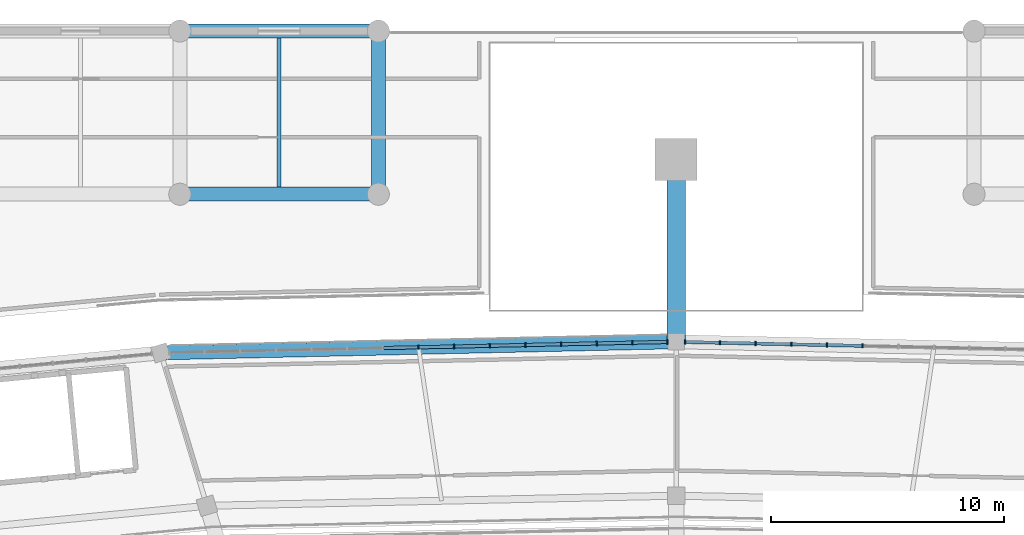
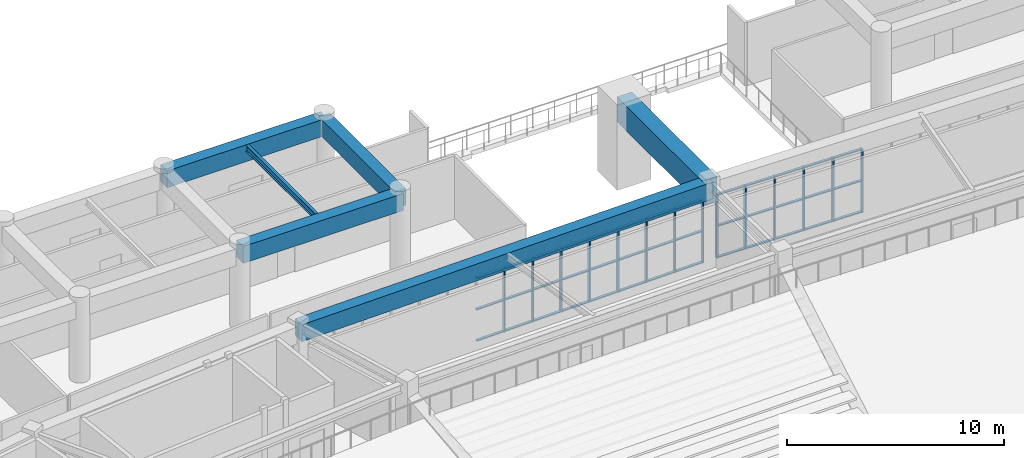
# One storey, part 62 of 137: 53 members, 6 beams, 2 elements without a shape of their own.
"""IFC4 building model written with IfcOpenShell, lengths in metres."""

from ifc_helpers import new_model, si_unit, direction, frame, origin, origin_2d, place, context, subcontext, project, spatial, rectangle, i_section, extrude, material, layer, layer_set, material_profile, profile_set, type_object, element, aggregate, save


model = new_model("IFC4")

# Units and contexts
model_context = context("Model", 3, precision=1e-05, world=origin(), true_north=direction((0.0, 1.0)))
body_context = subcontext(model_context, "Body", "Model", "MODEL_VIEW")
ifc_project = project(units=[si_unit("LENGTHUNIT", "METRE"), si_unit("AREAUNIT", "SQUARE_METRE"), si_unit("VOLUMEUNIT", "CUBIC_METRE"), si_unit("PLANEANGLEUNIT", "RADIAN"), si_unit("MASSUNIT", "GRAM", prefix="KILO")], contexts=[model_context])

# Site, building, storey
site_placement = place(None, origin())
site = spatial("IfcSite", under=ifc_project, at=site_placement, CompositionType="ELEMENT")
building_placement = place(site_placement, origin())
building = spatial("IfcBuilding", under=site, at=building_placement, Name="Mphavela Belvedere Stadium", CompositionType="ELEMENT")
storey_placement = place(building_placement, frame((0.0, 0.0, 19.199951171875)))
storey = spatial("IfcBuildingStorey", under=building, at=storey_placement, Name="L04", CompositionType="ELEMENT", Elevation=19.199951171875)

# Beams
ifc_material_1 = material(Name="Concrete C50/60", Category="concrete")
ifc_material_profile_1 = material_profile(ifc_material_1, rectangle(XDim=0.800048828125, YDim=1.39990234375, at=origin_2d()), Name="RC 800x1400")
ifc_profile_set_1 = profile_set([ifc_material_profile_1], Name="Concrete C50/60")
beam_type_1 = type_object("IfcBeamType", Name="BM-BUTTRESS-TIE-1400", PredefinedType="BEAM", material=ifc_profile_set_1)
beam_1_placement = place(storey_placement, frame((115.0, 160.669921875, 3.85009765625), z_axis=(0.0, 1.0, 0.0), x_axis=(-1.0, 0.0, 0.0)))
element("IfcBeam", 1, at=beam_1_placement, inside=storey, type_object=beam_type_1, Name="Mast buttress tie girder L04", PredefinedType="BEAM", context=body_context, shape_type="SweptSolid", body=[
    extrude(rectangle(XDim=0.800048828125, YDim=1.39990234375, at=origin_2d()), origin(), (0.0, 0.0, 1.0), 7.830078125),
])
ifc_material_2 = material(Name="Concrete C40/50", Category="concrete")
ifc_material_profile_2 = material_profile(ifc_material_2, rectangle(XDim=0.60009765625, YDim=0.949951171875, at=origin_2d()), Name="RC 600x950")
ifc_profile_set_2 = profile_set([ifc_material_profile_2], Name="Concrete C40/50")
beam_type_2 = type_object("IfcBeamType", Name="BM-ENTABLATURE-950", PredefinedType="SPANDREL", material=ifc_profile_set_2)
beam_2_placement = place(storey_placement, frame((115.0, 160.669921875, 4.074951171875), z_axis=(-0.999768359718, -0.021522706765, 0.0), x_axis=(0.021522706765, -0.999768359718, 0.0)))
element("IfcBeam", 2, at=beam_2_placement, inside=storey, type_object=beam_type_2, Name="Circumferential girder L04 R4-13", PredefinedType="SPANDREL", context=body_context, shape_type="SweptSolid", body=[
    extrude(rectangle(XDim=0.60009765625, YDim=0.949951171875, at=origin_2d()), origin(), (0.0, 0.0, 1.0), 22.11962890625),
])
for number, where, z_axis, x_axis, name in (
    (3, (93.7041015625, 167.0, 4.06494140625), (1.0, 0.0, 0.0), (0.0, 1.0, 0.0), "North Mast and Ceremonial End Forecourt entablature beam X L04 12-7"),
    (4, (93.7041015625, 174.0, 4.06494140625), (1.0, 0.0, 0.0), (0.0, 1.0, 0.0), "North Mast and Ceremonial End Forecourt entablature beam X L04 12-8"),
):
    element("IfcBeam", number, at=place(storey_placement, frame(where, z_axis=z_axis, x_axis=x_axis)), inside=storey, type_object=beam_type_2, Name=name, PredefinedType="SPANDREL", context=body_context, shape_type="SweptSolid", body=[
        extrude(rectangle(XDim=0.60009765625, YDim=0.949951171875, at=origin_2d()), origin(), (0.0, 0.0, 1.0), 8.517822265625),
    ])
beam_3_placement = place(storey_placement, frame((102.221923828125, 167.0, 4.06494140625), z_axis=(0.0, 1.0, 0.0), x_axis=(-1.0, 0.0, 0.0)))
element("IfcBeam", 5, at=beam_3_placement, inside=storey, type_object=beam_type_2, Name="North Mast and Ceremonial End Forecourt entablature beam Y L04 13-7", PredefinedType="SPANDREL", context=body_context, shape_type="SweptSolid", body=[
    extrude(rectangle(XDim=0.60009765625, YDim=0.949951171875, at=origin_2d()), origin(), (0.0, 0.0, 1.0), 7.0),
])
ifc_material_3 = material(Name="Steel S355", Category="steel")
ifc_material_profile_3 = material_profile(ifc_material_3, i_section(OverallWidth=0.169921875, OverallDepth=0.360107421875, WebThickness=0.008056640625, FlangeThickness=0.0126953125, at=origin_2d()), Name="IPE 360")
ifc_profile_set_3 = profile_set([ifc_material_profile_3], Name="Steel S355")
beam_type_3 = type_object("IfcBeamType", Name="BM-JOIST-IPE360", PredefinedType="JOIST", material=ifc_profile_set_3)
beam_4_placement = place(storey_placement, frame((97.962890625, 167.300048828125, 4.360107421875), z_axis=(0.0, 1.0, 0.0), x_axis=(-1.0, 0.0, 0.0)))
element("IfcBeam", 6, at=beam_4_placement, inside=storey, type_object=beam_type_3, Name="North Mast and Ceremonial End Forecourt secondary joist L04 12-7", PredefinedType="JOIST", context=body_context, shape_type="SweptSolid", body=[
    extrude(i_section(OverallWidth=0.169921875, OverallDepth=0.360107421875, WebThickness=0.008056640625, FlangeThickness=0.0126953125, at=origin_2d()), origin(), (0.0, 0.0, 1.0), 6.39990234375),
])

# Curtain wall, members
ifc_material_4 = material(Name="Anodised bronze unitised curtain wall framing")
ifc_layer_1 = layer(ifc_material_4, 0.18505859375)
ifc_layer_set_1 = layer_set([ifc_layer_1], Name="Anodised bronze unitised curtain wall framing")
curtain_wall_type_1 = type_object("IfcCurtainWallType", Name="CW-UNIT-02", PredefinedType="USERDEFINED", material=ifc_layer_set_1)
curtain_wall_1_placement = place(storey_placement, origin())
curtain_wall_1 = element("IfcCurtainWall", 7, at=curtain_wall_1_placement, inside=storey, type_object=curtain_wall_type_1, Name="Belvedere colonnade curtain wall L04-12", ObjectType="UNITISED CURTAIN WALL", PredefinedType="USERDEFINED")
ifc_material_5 = material(Name="Anodised bronze extruded aluminium", Category="aluminium")
ifc_material_profile_4 = material_profile(ifc_material_5, rectangle(XDim=0.179931640625, YDim=0.06494140625, at=origin_2d()), Name="CW-MUL 180x65")
ifc_profile_set_4 = profile_set([ifc_material_profile_4], Name="Anodised bronze extruded aluminium")
member_type_1 = type_object("IfcMemberType", Name="CWM-180x65", PredefinedType="MULLION", material=ifc_profile_set_4)
member_1_placement = place(storey_placement, frame((122.99755859375, 160.497802734375, 0.0), z_axis=(0.0, 0.0, 1.0), x_axis=(-0.021527495473, -0.999768256617, 0.0)))
member_1 = element("IfcMember", 8, at=member_1_placement, type_object=member_type_1, Name="CW-02 mullion 10", PredefinedType="MULLION", context=body_context, shape_type="SweptSolid", body=[
    extrude(rectangle(XDim=0.179931640625, YDim=0.06494140625, at=origin_2d()), origin(), (0.0, 0.0, 1.0), 3.570068359375),
])
member_2_placement = place(storey_placement, frame((121.467529296875, 160.53076171875, 0.0), z_axis=(0.0, 0.0, 1.0), x_axis=(-0.021527495473, -0.999768256617, 0.0)))
member_2 = element("IfcMember", 9, at=member_2_placement, type_object=member_type_1, Name="CW-02 mullion 11", PredefinedType="MULLION", context=body_context, shape_type="SweptSolid", body=[
    extrude(rectangle(XDim=0.179931640625, YDim=0.06494140625, at=origin_2d()), origin(), (0.0, 0.0, 1.0), 3.570068359375),
])
member_3_placement = place(storey_placement, frame((119.937744140625, 160.563720703125, 0.0), z_axis=(0.0, 0.0, 1.0), x_axis=(-0.021527495473, -0.999768256617, 0.0)))
member_3 = element("IfcMember", 10, at=member_3_placement, type_object=member_type_1, Name="CW-02 mullion 12", PredefinedType="MULLION", context=body_context, shape_type="SweptSolid", body=[
    extrude(rectangle(XDim=0.179931640625, YDim=0.06494140625, at=origin_2d()), origin(), (0.0, 0.0, 1.0), 3.570068359375),
])
member_4_placement = place(storey_placement, frame((118.40771484375, 160.5966796875, 0.0), z_axis=(0.0, 0.0, 1.0), x_axis=(-0.021527495473, -0.999768256617, 0.0)))
member_4 = element("IfcMember", 11, at=member_4_placement, type_object=member_type_1, Name="CW-02 mullion 13", PredefinedType="MULLION", context=body_context, shape_type="SweptSolid", body=[
    extrude(rectangle(XDim=0.179931640625, YDim=0.06494140625, at=origin_2d()), origin(), (0.0, 0.0, 1.0), 3.570068359375),
])
member_5_placement = place(storey_placement, frame((116.8779296875, 160.629638671875, 0.0), z_axis=(0.0, 0.0, 1.0), x_axis=(-0.021527495473, -0.999768256617, 0.0)))
member_5 = element("IfcMember", 12, at=member_5_placement, type_object=member_type_1, Name="CW-02 mullion 14", PredefinedType="MULLION", context=body_context, shape_type="SweptSolid", body=[
    extrude(rectangle(XDim=0.179931640625, YDim=0.06494140625, at=origin_2d()), origin(), (0.0, 0.0, 1.0), 3.570068359375),
])
member_6_placement = place(storey_placement, frame((115.38037109375, 160.661865234375, 0.0), z_axis=(0.0, 0.0, 1.0), x_axis=(-0.021527495473, -0.999768256617, 0.0)))
member_6 = element("IfcMember", 13, at=member_6_placement, type_object=member_type_1, Name="CW-02 mullion 15", PredefinedType="MULLION", context=body_context, shape_type="SweptSolid", body=[
    extrude(rectangle(XDim=0.179931640625, YDim=0.06494140625, at=origin_2d()), origin(), (0.0, 0.0, 1.0), 3.570068359375),
])

ifc_material_6 = material(Name="Anodised bronze unitised curtain wall framing")
ifc_layer_2 = layer(ifc_material_6, 0.18994140625)
ifc_layer_set_2 = layer_set([ifc_layer_2], Name="Anodised bronze unitised curtain wall framing")
curtain_wall_type_2 = type_object("IfcCurtainWallType", Name="CW-UNIT-03", PredefinedType="USERDEFINED", material=ifc_layer_set_2)
curtain_wall_2_placement = place(storey_placement, origin())
curtain_wall_2 = element("IfcCurtainWall", 14, at=curtain_wall_2_placement, inside=storey, type_object=curtain_wall_type_2, Name="Belvedere colonnade curtain wall L04-13", ObjectType="UNITISED CURTAIN WALL", PredefinedType="USERDEFINED")
member_7_placement = place(storey_placement, frame((114.61962890625, 160.661865234375, 0.0), z_axis=(0.0, 0.0, 1.0), x_axis=(0.021527495473, -0.999768256617, 0.0)))
member_7 = element("IfcMember", 15, at=member_7_placement, type_object=member_type_1, Name="CW-03 mullion 1", PredefinedType="MULLION", context=body_context, shape_type="SweptSolid", body=[
    extrude(rectangle(XDim=0.179931640625, YDim=0.06494140625, at=origin_2d()), origin(), (0.0, 0.0, 1.0), 3.570068359375),
])
member_8_placement = place(storey_placement, frame((113.1220703125, 160.629638671875, 0.0), z_axis=(0.0, 0.0, 1.0), x_axis=(0.021527495473, -0.999768256617, 0.0)))
member_8 = element("IfcMember", 16, at=member_8_placement, type_object=member_type_1, Name="CW-03 mullion 2", PredefinedType="MULLION", context=body_context, shape_type="SweptSolid", body=[
    extrude(rectangle(XDim=0.179931640625, YDim=0.06494140625, at=origin_2d()), origin(), (0.0, 0.0, 1.0), 3.570068359375),
])
member_9_placement = place(storey_placement, frame((111.59228515625, 160.5966796875, 0.0), z_axis=(0.0, 0.0, 1.0), x_axis=(0.021527495473, -0.999768256617, 0.0)))
member_9 = element("IfcMember", 17, at=member_9_placement, type_object=member_type_1, Name="CW-03 mullion 3", PredefinedType="MULLION", context=body_context, shape_type="SweptSolid", body=[
    extrude(rectangle(XDim=0.179931640625, YDim=0.06494140625, at=origin_2d()), origin(), (0.0, 0.0, 1.0), 3.570068359375),
])
member_10_placement = place(storey_placement, frame((110.062255859375, 160.563720703125, 0.0), z_axis=(0.0, 0.0, 1.0), x_axis=(0.021527495473, -0.999768256617, 0.0)))
member_10 = element("IfcMember", 18, at=member_10_placement, type_object=member_type_1, Name="CW-03 mullion 4", PredefinedType="MULLION", context=body_context, shape_type="SweptSolid", body=[
    extrude(rectangle(XDim=0.179931640625, YDim=0.06494140625, at=origin_2d()), origin(), (0.0, 0.0, 1.0), 3.570068359375),
])
member_11_placement = place(storey_placement, frame((108.532470703125, 160.53076171875, 0.0), z_axis=(0.0, 0.0, 1.0), x_axis=(0.021527495473, -0.999768256617, 0.0)))
member_11 = element("IfcMember", 19, at=member_11_placement, type_object=member_type_1, Name="CW-03 mullion 5", PredefinedType="MULLION", context=body_context, shape_type="SweptSolid", body=[
    extrude(rectangle(XDim=0.179931640625, YDim=0.06494140625, at=origin_2d()), origin(), (0.0, 0.0, 1.0), 3.570068359375),
])
member_12_placement = place(storey_placement, frame((107.00244140625, 160.497802734375, 0.0), z_axis=(0.0, 0.0, 1.0), x_axis=(0.021527495473, -0.999768256617, 0.0)))
member_12 = element("IfcMember", 20, at=member_12_placement, type_object=member_type_1, Name="CW-03 mullion 6", PredefinedType="MULLION", context=body_context, shape_type="SweptSolid", body=[
    extrude(rectangle(XDim=0.179931640625, YDim=0.06494140625, at=origin_2d()), origin(), (0.0, 0.0, 1.0), 3.570068359375),
])
member_13_placement = place(storey_placement, frame((105.47265625, 160.46484375, 0.0), z_axis=(0.0, 0.0, 1.0), x_axis=(0.021527495473, -0.999768256617, 0.0)))
member_13 = element("IfcMember", 21, at=member_13_placement, type_object=member_type_1, Name="CW-03 mullion 7", PredefinedType="MULLION", context=body_context, shape_type="SweptSolid", body=[
    extrude(rectangle(XDim=0.179931640625, YDim=0.06494140625, at=origin_2d()), origin(), (0.0, 0.0, 1.0), 3.570068359375),
])
member_14_placement = place(storey_placement, frame((103.942626953125, 160.431884765625, 0.0), z_axis=(0.0, 0.0, 1.0), x_axis=(0.021527495473, -0.999768256617, 0.0)))
member_14 = element("IfcMember", 22, at=member_14_placement, type_object=member_type_1, Name="CW-03 mullion 8", PredefinedType="MULLION", context=body_context, shape_type="SweptSolid", body=[
    extrude(rectangle(XDim=0.179931640625, YDim=0.06494140625, at=origin_2d()), origin(), (0.0, 0.0, 1.0), 3.570068359375),
])

# Member
ifc_material_7 = material(Name="Anodised bronze extruded aluminium", Category="aluminium")
ifc_material_profile_5 = material_profile(ifc_material_7, rectangle(XDim=0.139892578125, YDim=0.06005859375, at=origin_2d()), Name="CW-TRN 140x60")
ifc_profile_set_5 = profile_set([ifc_material_profile_5], Name="Anodised bronze extruded aluminium")
member_type_2 = type_object("IfcMemberType", Name="CWT-140x60", PredefinedType="USERDEFINED", material=ifc_profile_set_5)
member_15_placement = place(storey_placement, frame((122.965087890625, 160.49853515625, 0.030029296875), z_axis=(-0.999769032066, 0.021491452281, 0.0), x_axis=(-0.021491452281, -0.999769032066, 0.0)))
member_15 = element("IfcMember", 23, at=member_15_placement, type_object=member_type_2, Name="CW-02 transom 10.1", ObjectType="TRANSOM", PredefinedType="USERDEFINED", context=body_context, shape_type="SweptSolid", body=[
    extrude(rectangle(XDim=0.139892578125, YDim=0.06005859375, at=origin_2d()), origin(), (0.0, 0.0, 1.0), 1.46533203125),
])

member_16_placement = place(storey_placement, frame((122.965087890625, 160.49853515625, 1.78515625), z_axis=(-0.999769032066, 0.021491452281, 0.0), x_axis=(-0.021491452281, -0.999769032066, 0.0)))
member_16 = element("IfcMember", 24, at=member_16_placement, type_object=member_type_2, Name="CW-02 transom 10.2", ObjectType="TRANSOM", PredefinedType="USERDEFINED", context=body_context, shape_type="SweptSolid", body=[
    extrude(rectangle(XDim=0.139892578125, YDim=0.06005859375, at=origin_2d()), origin(), (0.0, 0.0, 1.0), 1.46533203125),
])

member_17_placement = place(storey_placement, frame((122.965087890625, 160.49853515625, 3.5400390625), z_axis=(-0.999769032066, 0.021491452281, 0.0), x_axis=(-0.021491452281, -0.999769032066, 0.0)))
member_17 = element("IfcMember", 25, at=member_17_placement, type_object=member_type_2, Name="CW-02 transom 10.3", ObjectType="TRANSOM", PredefinedType="USERDEFINED", context=body_context, shape_type="SweptSolid", body=[
    extrude(rectangle(XDim=0.139892578125, YDim=0.06005859375, at=origin_2d()), origin(), (0.0, 0.0, 1.0), 1.46533203125),
])

member_18_placement = place(storey_placement, frame((121.43505859375, 160.531494140625, 0.030029296875), z_axis=(-0.999768955097, 0.021495032535, 0.0), x_axis=(-0.021495032535, -0.999768955097, 0.0)))
member_18 = element("IfcMember", 26, at=member_18_placement, type_object=member_type_2, Name="CW-02 transom 11.1", ObjectType="TRANSOM", PredefinedType="USERDEFINED", context=body_context, shape_type="SweptSolid", body=[
    extrude(rectangle(XDim=0.139892578125, YDim=0.06005859375, at=origin_2d()), origin(), (0.0, 0.0, 1.0), 1.465087890625),
])

member_19_placement = place(storey_placement, frame((121.43505859375, 160.531494140625, 1.78515625), z_axis=(-0.999768955097, 0.021495032535, 0.0), x_axis=(-0.021495032535, -0.999768955097, 0.0)))
member_19 = element("IfcMember", 27, at=member_19_placement, type_object=member_type_2, Name="CW-02 transom 11.2", ObjectType="TRANSOM", PredefinedType="USERDEFINED", context=body_context, shape_type="SweptSolid", body=[
    extrude(rectangle(XDim=0.139892578125, YDim=0.06005859375, at=origin_2d()), origin(), (0.0, 0.0, 1.0), 1.465087890625),
])

member_20_placement = place(storey_placement, frame((121.43505859375, 160.531494140625, 3.5400390625), z_axis=(-0.999768955097, 0.021495032535, 0.0), x_axis=(-0.021495032535, -0.999768955097, 0.0)))
member_20 = element("IfcMember", 28, at=member_20_placement, type_object=member_type_2, Name="CW-02 transom 11.3", ObjectType="TRANSOM", PredefinedType="USERDEFINED", context=body_context, shape_type="SweptSolid", body=[
    extrude(rectangle(XDim=0.139892578125, YDim=0.06005859375, at=origin_2d()), origin(), (0.0, 0.0, 1.0), 1.465087890625),
])

member_21_placement = place(storey_placement, frame((119.905029296875, 160.564453125, 0.030029296875), z_axis=(-0.999768955097, 0.021495032535, 0.0), x_axis=(-0.021495032535, -0.999768955097, 0.0)))
member_21 = element("IfcMember", 29, at=member_21_placement, type_object=member_type_2, Name="CW-02 transom 12.1", ObjectType="TRANSOM", PredefinedType="USERDEFINED", context=body_context, shape_type="SweptSolid", body=[
    extrude(rectangle(XDim=0.139892578125, YDim=0.06005859375, at=origin_2d()), origin(), (0.0, 0.0, 1.0), 1.465087890625),
])

member_22_placement = place(storey_placement, frame((119.905029296875, 160.564453125, 1.78515625), z_axis=(-0.999768955097, 0.021495032535, 0.0), x_axis=(-0.021495032535, -0.999768955097, 0.0)))
member_22 = element("IfcMember", 30, at=member_22_placement, type_object=member_type_2, Name="CW-02 transom 12.2", ObjectType="TRANSOM", PredefinedType="USERDEFINED", context=body_context, shape_type="SweptSolid", body=[
    extrude(rectangle(XDim=0.139892578125, YDim=0.06005859375, at=origin_2d()), origin(), (0.0, 0.0, 1.0), 1.465087890625),
])

member_23_placement = place(storey_placement, frame((119.905029296875, 160.564453125, 3.5400390625), z_axis=(-0.999768955097, 0.021495032535, 0.0), x_axis=(-0.021495032535, -0.999768955097, 0.0)))
member_23 = element("IfcMember", 31, at=member_23_placement, type_object=member_type_2, Name="CW-02 transom 12.3", ObjectType="TRANSOM", PredefinedType="USERDEFINED", context=body_context, shape_type="SweptSolid", body=[
    extrude(rectangle(XDim=0.139892578125, YDim=0.06005859375, at=origin_2d()), origin(), (0.0, 0.0, 1.0), 1.465087890625),
])

member_24_placement = place(storey_placement, frame((118.375244140625, 160.597412109375, 0.030029296875), z_axis=(-0.999768955097, 0.021495032535, 0.0), x_axis=(-0.021495032535, -0.999768955097, 0.0)))
member_24 = element("IfcMember", 32, at=member_24_placement, type_object=member_type_2, Name="CW-02 transom 13.1", ObjectType="TRANSOM", PredefinedType="USERDEFINED", context=body_context, shape_type="SweptSolid", body=[
    extrude(rectangle(XDim=0.139892578125, YDim=0.06005859375, at=origin_2d()), origin(), (0.0, 0.0, 1.0), 1.465087890625),
])

member_25_placement = place(storey_placement, frame((118.375244140625, 160.597412109375, 1.78515625), z_axis=(-0.999768955097, 0.021495032535, 0.0), x_axis=(-0.021495032535, -0.999768955097, 0.0)))
member_25 = element("IfcMember", 33, at=member_25_placement, type_object=member_type_2, Name="CW-02 transom 13.2", ObjectType="TRANSOM", PredefinedType="USERDEFINED", context=body_context, shape_type="SweptSolid", body=[
    extrude(rectangle(XDim=0.139892578125, YDim=0.06005859375, at=origin_2d()), origin(), (0.0, 0.0, 1.0), 1.465087890625),
])

member_26_placement = place(storey_placement, frame((118.375244140625, 160.597412109375, 3.5400390625), z_axis=(-0.999768955097, 0.021495032535, 0.0), x_axis=(-0.021495032535, -0.999768955097, 0.0)))
member_26 = element("IfcMember", 34, at=member_26_placement, type_object=member_type_2, Name="CW-02 transom 13.3", ObjectType="TRANSOM", PredefinedType="USERDEFINED", context=body_context, shape_type="SweptSolid", body=[
    extrude(rectangle(XDim=0.139892578125, YDim=0.06005859375, at=origin_2d()), origin(), (0.0, 0.0, 1.0), 1.465087890625),
])

member_27_placement = place(storey_placement, frame((116.84521484375, 160.63037109375, 0.030029296875), z_axis=(-0.999769469326, 0.021471101608, 0.0), x_axis=(-0.021471101608, -0.999769469326, 0.0)))
member_27 = element("IfcMember", 35, at=member_27_placement, type_object=member_type_2, Name="CW-02 transom 14.1", ObjectType="TRANSOM", PredefinedType="USERDEFINED", context=body_context, shape_type="SweptSolid", body=[
    extrude(rectangle(XDim=0.139892578125, YDim=0.06005859375, at=origin_2d()), origin(), (0.0, 0.0, 1.0), 1.4326171875),
])

member_28_placement = place(storey_placement, frame((116.84521484375, 160.63037109375, 1.78515625), z_axis=(-0.999769469326, 0.021471101608, 0.0), x_axis=(-0.021471101608, -0.999769469326, 0.0)))
member_28 = element("IfcMember", 36, at=member_28_placement, type_object=member_type_2, Name="CW-02 transom 14.2", ObjectType="TRANSOM", PredefinedType="USERDEFINED", context=body_context, shape_type="SweptSolid", body=[
    extrude(rectangle(XDim=0.139892578125, YDim=0.06005859375, at=origin_2d()), origin(), (0.0, 0.0, 1.0), 1.4326171875),
])

member_29_placement = place(storey_placement, frame((116.84521484375, 160.63037109375, 3.5400390625), z_axis=(-0.999769469326, 0.021471101608, 0.0), x_axis=(-0.021471101608, -0.999769469326, 0.0)))
member_29 = element("IfcMember", 37, at=member_29_placement, type_object=member_type_2, Name="CW-02 transom 14.3", ObjectType="TRANSOM", PredefinedType="USERDEFINED", context=body_context, shape_type="SweptSolid", body=[
    extrude(rectangle(XDim=0.139892578125, YDim=0.06005859375, at=origin_2d()), origin(), (0.0, 0.0, 1.0), 1.4326171875),
])

aggregate(curtain_wall_1, [member_1, member_2, member_3, member_4, member_5, member_6, member_15, member_16, member_17, member_18, member_19, member_20, member_21, member_22, member_23, member_24, member_25, member_26, member_27, member_28, member_29])

member_30_placement = place(storey_placement, frame((114.587158203125, 160.6611328125, 0.030029296875), z_axis=(-0.999769469326, -0.021471101608, 0.0), x_axis=(0.021471101608, -0.999769469326, 0.0)))
member_30 = element("IfcMember", 38, at=member_30_placement, type_object=member_type_2, Name="CW-03 transom 1.1", ObjectType="TRANSOM", PredefinedType="USERDEFINED", context=body_context, shape_type="SweptSolid", body=[
    extrude(rectangle(XDim=0.139892578125, YDim=0.06005859375, at=origin_2d()), origin(), (0.0, 0.0, 1.0), 1.4326171875),
])

member_31_placement = place(storey_placement, frame((114.587158203125, 160.6611328125, 1.78515625), z_axis=(-0.999769469326, -0.021471101608, 0.0), x_axis=(0.021471101608, -0.999769469326, 0.0)))
member_31 = element("IfcMember", 39, at=member_31_placement, type_object=member_type_2, Name="CW-03 transom 1.2", ObjectType="TRANSOM", PredefinedType="USERDEFINED", context=body_context, shape_type="SweptSolid", body=[
    extrude(rectangle(XDim=0.139892578125, YDim=0.06005859375, at=origin_2d()), origin(), (0.0, 0.0, 1.0), 1.4326171875),
])

member_32_placement = place(storey_placement, frame((114.587158203125, 160.6611328125, 3.5400390625), z_axis=(-0.999769469326, -0.021471101608, 0.0), x_axis=(0.021471101608, -0.999769469326, 0.0)))
member_32 = element("IfcMember", 40, at=member_32_placement, type_object=member_type_2, Name="CW-03 transom 1.3", ObjectType="TRANSOM", PredefinedType="USERDEFINED", context=body_context, shape_type="SweptSolid", body=[
    extrude(rectangle(XDim=0.139892578125, YDim=0.06005859375, at=origin_2d()), origin(), (0.0, 0.0, 1.0), 1.4326171875),
])

member_33_placement = place(storey_placement, frame((113.089599609375, 160.62890625, 0.030029296875), z_axis=(-0.999768955097, -0.021495032535, 0.0), x_axis=(0.021495032535, -0.999768955097, 0.0)))
member_33 = element("IfcMember", 41, at=member_33_placement, type_object=member_type_2, Name="CW-03 transom 2.1", ObjectType="TRANSOM", PredefinedType="USERDEFINED", context=body_context, shape_type="SweptSolid", body=[
    extrude(rectangle(XDim=0.139892578125, YDim=0.06005859375, at=origin_2d()), origin(), (0.0, 0.0, 1.0), 1.465087890625),
])

member_34_placement = place(storey_placement, frame((113.089599609375, 160.62890625, 1.78515625), z_axis=(-0.999768955097, -0.021495032535, 0.0), x_axis=(0.021495032535, -0.999768955097, 0.0)))
member_34 = element("IfcMember", 42, at=member_34_placement, type_object=member_type_2, Name="CW-03 transom 2.2", ObjectType="TRANSOM", PredefinedType="USERDEFINED", context=body_context, shape_type="SweptSolid", body=[
    extrude(rectangle(XDim=0.139892578125, YDim=0.06005859375, at=origin_2d()), origin(), (0.0, 0.0, 1.0), 1.465087890625),
])

member_35_placement = place(storey_placement, frame((113.089599609375, 160.62890625, 3.5400390625), z_axis=(-0.999768955097, -0.021495032535, 0.0), x_axis=(0.021495032535, -0.999768955097, 0.0)))
member_35 = element("IfcMember", 43, at=member_35_placement, type_object=member_type_2, Name="CW-03 transom 2.3", ObjectType="TRANSOM", PredefinedType="USERDEFINED", context=body_context, shape_type="SweptSolid", body=[
    extrude(rectangle(XDim=0.139892578125, YDim=0.06005859375, at=origin_2d()), origin(), (0.0, 0.0, 1.0), 1.465087890625),
])

member_36_placement = place(storey_placement, frame((111.559814453125, 160.595947265625, 0.030029296875), z_axis=(-0.999768955097, -0.021495032535, 0.0), x_axis=(0.021495032535, -0.999768955097, 0.0)))
member_36 = element("IfcMember", 44, at=member_36_placement, type_object=member_type_2, Name="CW-03 transom 3.1", ObjectType="TRANSOM", PredefinedType="USERDEFINED", context=body_context, shape_type="SweptSolid", body=[
    extrude(rectangle(XDim=0.139892578125, YDim=0.06005859375, at=origin_2d()), origin(), (0.0, 0.0, 1.0), 1.465087890625),
])

member_37_placement = place(storey_placement, frame((111.559814453125, 160.595947265625, 1.78515625), z_axis=(-0.999768955097, -0.021495032535, 0.0), x_axis=(0.021495032535, -0.999768955097, 0.0)))
member_37 = element("IfcMember", 45, at=member_37_placement, type_object=member_type_2, Name="CW-03 transom 3.2", ObjectType="TRANSOM", PredefinedType="USERDEFINED", context=body_context, shape_type="SweptSolid", body=[
    extrude(rectangle(XDim=0.139892578125, YDim=0.06005859375, at=origin_2d()), origin(), (0.0, 0.0, 1.0), 1.465087890625),
])

member_38_placement = place(storey_placement, frame((111.559814453125, 160.595947265625, 3.5400390625), z_axis=(-0.999768955097, -0.021495032535, 0.0), x_axis=(0.021495032535, -0.999768955097, 0.0)))
member_38 = element("IfcMember", 46, at=member_38_placement, type_object=member_type_2, Name="CW-03 transom 3.3", ObjectType="TRANSOM", PredefinedType="USERDEFINED", context=body_context, shape_type="SweptSolid", body=[
    extrude(rectangle(XDim=0.139892578125, YDim=0.06005859375, at=origin_2d()), origin(), (0.0, 0.0, 1.0), 1.465087890625),
])

member_39_placement = place(storey_placement, frame((110.02978515625, 160.56298828125, 0.030029296875), z_axis=(-0.999768955097, -0.021495032535, 0.0), x_axis=(0.021495032535, -0.999768955097, 0.0)))
member_39 = element("IfcMember", 47, at=member_39_placement, type_object=member_type_2, Name="CW-03 transom 4.1", ObjectType="TRANSOM", PredefinedType="USERDEFINED", context=body_context, shape_type="SweptSolid", body=[
    extrude(rectangle(XDim=0.139892578125, YDim=0.06005859375, at=origin_2d()), origin(), (0.0, 0.0, 1.0), 1.465087890625),
])

member_40_placement = place(storey_placement, frame((110.02978515625, 160.56298828125, 1.78515625), z_axis=(-0.999768955097, -0.021495032535, 0.0), x_axis=(0.021495032535, -0.999768955097, 0.0)))
member_40 = element("IfcMember", 48, at=member_40_placement, type_object=member_type_2, Name="CW-03 transom 4.2", ObjectType="TRANSOM", PredefinedType="USERDEFINED", context=body_context, shape_type="SweptSolid", body=[
    extrude(rectangle(XDim=0.139892578125, YDim=0.06005859375, at=origin_2d()), origin(), (0.0, 0.0, 1.0), 1.465087890625),
])

member_41_placement = place(storey_placement, frame((110.02978515625, 160.56298828125, 3.5400390625), z_axis=(-0.999768955097, -0.021495032535, 0.0), x_axis=(0.021495032535, -0.999768955097, 0.0)))
member_41 = element("IfcMember", 49, at=member_41_placement, type_object=member_type_2, Name="CW-03 transom 4.3", ObjectType="TRANSOM", PredefinedType="USERDEFINED", context=body_context, shape_type="SweptSolid", body=[
    extrude(rectangle(XDim=0.139892578125, YDim=0.06005859375, at=origin_2d()), origin(), (0.0, 0.0, 1.0), 1.465087890625),
])

member_42_placement = place(storey_placement, frame((108.5, 160.530029296875, 0.030029296875), z_axis=(-0.999769032066, -0.021491452281, 0.0), x_axis=(0.021491452281, -0.999769032066, 0.0)))
member_42 = element("IfcMember", 50, at=member_42_placement, type_object=member_type_2, Name="CW-03 transom 5.1", ObjectType="TRANSOM", PredefinedType="USERDEFINED", context=body_context, shape_type="SweptSolid", body=[
    extrude(rectangle(XDim=0.139892578125, YDim=0.06005859375, at=origin_2d()), origin(), (0.0, 0.0, 1.0), 1.46533203125),
])

member_43_placement = place(storey_placement, frame((108.5, 160.530029296875, 1.78515625), z_axis=(-0.999769032066, -0.021491452281, 0.0), x_axis=(0.021491452281, -0.999769032066, 0.0)))
member_43 = element("IfcMember", 51, at=member_43_placement, type_object=member_type_2, Name="CW-03 transom 5.2", ObjectType="TRANSOM", PredefinedType="USERDEFINED", context=body_context, shape_type="SweptSolid", body=[
    extrude(rectangle(XDim=0.139892578125, YDim=0.06005859375, at=origin_2d()), origin(), (0.0, 0.0, 1.0), 1.46533203125),
])

member_44_placement = place(storey_placement, frame((108.5, 160.530029296875, 3.5400390625), z_axis=(-0.999769032066, -0.021491452281, 0.0), x_axis=(0.021491452281, -0.999769032066, 0.0)))
member_44 = element("IfcMember", 52, at=member_44_placement, type_object=member_type_2, Name="CW-03 transom 5.3", ObjectType="TRANSOM", PredefinedType="USERDEFINED", context=body_context, shape_type="SweptSolid", body=[
    extrude(rectangle(XDim=0.139892578125, YDim=0.06005859375, at=origin_2d()), origin(), (0.0, 0.0, 1.0), 1.46533203125),
])

member_45_placement = place(storey_placement, frame((106.969970703125, 160.4970703125, 0.030029296875), z_axis=(-0.999768955097, -0.021495032535, 0.0), x_axis=(0.021495032535, -0.999768955097, 0.0)))
member_45 = element("IfcMember", 53, at=member_45_placement, type_object=member_type_2, Name="CW-03 transom 6.1", ObjectType="TRANSOM", PredefinedType="USERDEFINED", context=body_context, shape_type="SweptSolid", body=[
    extrude(rectangle(XDim=0.139892578125, YDim=0.06005859375, at=origin_2d()), origin(), (0.0, 0.0, 1.0), 1.465087890625),
])

member_46_placement = place(storey_placement, frame((106.969970703125, 160.4970703125, 1.78515625), z_axis=(-0.999768955097, -0.021495032535, 0.0), x_axis=(0.021495032535, -0.999768955097, 0.0)))
member_46 = element("IfcMember", 54, at=member_46_placement, type_object=member_type_2, Name="CW-03 transom 6.2", ObjectType="TRANSOM", PredefinedType="USERDEFINED", context=body_context, shape_type="SweptSolid", body=[
    extrude(rectangle(XDim=0.139892578125, YDim=0.06005859375, at=origin_2d()), origin(), (0.0, 0.0, 1.0), 1.465087890625),
])

member_47_placement = place(storey_placement, frame((106.969970703125, 160.4970703125, 3.5400390625), z_axis=(-0.999768955097, -0.021495032535, 0.0), x_axis=(0.021495032535, -0.999768955097, 0.0)))
member_47 = element("IfcMember", 55, at=member_47_placement, type_object=member_type_2, Name="CW-03 transom 6.3", ObjectType="TRANSOM", PredefinedType="USERDEFINED", context=body_context, shape_type="SweptSolid", body=[
    extrude(rectangle(XDim=0.139892578125, YDim=0.06005859375, at=origin_2d()), origin(), (0.0, 0.0, 1.0), 1.465087890625),
])

member_48_placement = place(storey_placement, frame((105.440185546875, 160.464111328125, 0.030029296875), z_axis=(-0.999769032066, -0.021491452281, 0.0), x_axis=(0.021491452281, -0.999769032066, 0.0)))
member_48 = element("IfcMember", 56, at=member_48_placement, type_object=member_type_2, Name="CW-03 transom 7.1", ObjectType="TRANSOM", PredefinedType="USERDEFINED", context=body_context, shape_type="SweptSolid", body=[
    extrude(rectangle(XDim=0.139892578125, YDim=0.06005859375, at=origin_2d()), origin(), (0.0, 0.0, 1.0), 1.46533203125),
])

member_49_placement = place(storey_placement, frame((105.440185546875, 160.464111328125, 1.78515625), z_axis=(-0.999769032066, -0.021491452281, 0.0), x_axis=(0.021491452281, -0.999769032066, 0.0)))
member_49 = element("IfcMember", 57, at=member_49_placement, type_object=member_type_2, Name="CW-03 transom 7.2", ObjectType="TRANSOM", PredefinedType="USERDEFINED", context=body_context, shape_type="SweptSolid", body=[
    extrude(rectangle(XDim=0.139892578125, YDim=0.06005859375, at=origin_2d()), origin(), (0.0, 0.0, 1.0), 1.46533203125),
])

member_50_placement = place(storey_placement, frame((105.440185546875, 160.464111328125, 3.5400390625), z_axis=(-0.999769032066, -0.021491452281, 0.0), x_axis=(0.021491452281, -0.999769032066, 0.0)))
member_50 = element("IfcMember", 58, at=member_50_placement, type_object=member_type_2, Name="CW-03 transom 7.3", ObjectType="TRANSOM", PredefinedType="USERDEFINED", context=body_context, shape_type="SweptSolid", body=[
    extrude(rectangle(XDim=0.139892578125, YDim=0.06005859375, at=origin_2d()), origin(), (0.0, 0.0, 1.0), 1.46533203125),
])

member_51_placement = place(storey_placement, frame((103.91015625, 160.43115234375, 0.030029296875), z_axis=(-0.999768955097, -0.021495032535, 0.0), x_axis=(0.021495032535, -0.999768955097, 0.0)))
member_51 = element("IfcMember", 59, at=member_51_placement, type_object=member_type_2, Name="CW-03 transom 8.1", ObjectType="TRANSOM", PredefinedType="USERDEFINED", context=body_context, shape_type="SweptSolid", body=[
    extrude(rectangle(XDim=0.139892578125, YDim=0.06005859375, at=origin_2d()), origin(), (0.0, 0.0, 1.0), 1.465087890625),
])

member_52_placement = place(storey_placement, frame((103.91015625, 160.43115234375, 1.78515625), z_axis=(-0.999768955097, -0.021495032535, 0.0), x_axis=(0.021495032535, -0.999768955097, 0.0)))
member_52 = element("IfcMember", 60, at=member_52_placement, type_object=member_type_2, Name="CW-03 transom 8.2", ObjectType="TRANSOM", PredefinedType="USERDEFINED", context=body_context, shape_type="SweptSolid", body=[
    extrude(rectangle(XDim=0.139892578125, YDim=0.06005859375, at=origin_2d()), origin(), (0.0, 0.0, 1.0), 1.465087890625),
])

member_53_placement = place(storey_placement, frame((103.91015625, 160.43115234375, 3.5400390625), z_axis=(-0.999768955097, -0.021495032535, 0.0), x_axis=(0.021495032535, -0.999768955097, 0.0)))
member_53 = element("IfcMember", 61, at=member_53_placement, type_object=member_type_2, Name="CW-03 transom 8.3", ObjectType="TRANSOM", PredefinedType="USERDEFINED", context=body_context, shape_type="SweptSolid", body=[
    extrude(rectangle(XDim=0.139892578125, YDim=0.06005859375, at=origin_2d()), origin(), (0.0, 0.0, 1.0), 1.465087890625),
])

aggregate(curtain_wall_2, [member_7, member_8, member_9, member_10, member_11, member_12, member_13, member_14, member_30, member_31, member_32, member_33, member_34, member_35, member_36, member_37, member_38, member_39, member_40, member_41, member_42, member_43, member_44, member_45, member_46, member_47, member_48, member_49, member_50, member_51, member_52, member_53])

save(model, "model.ifc")
